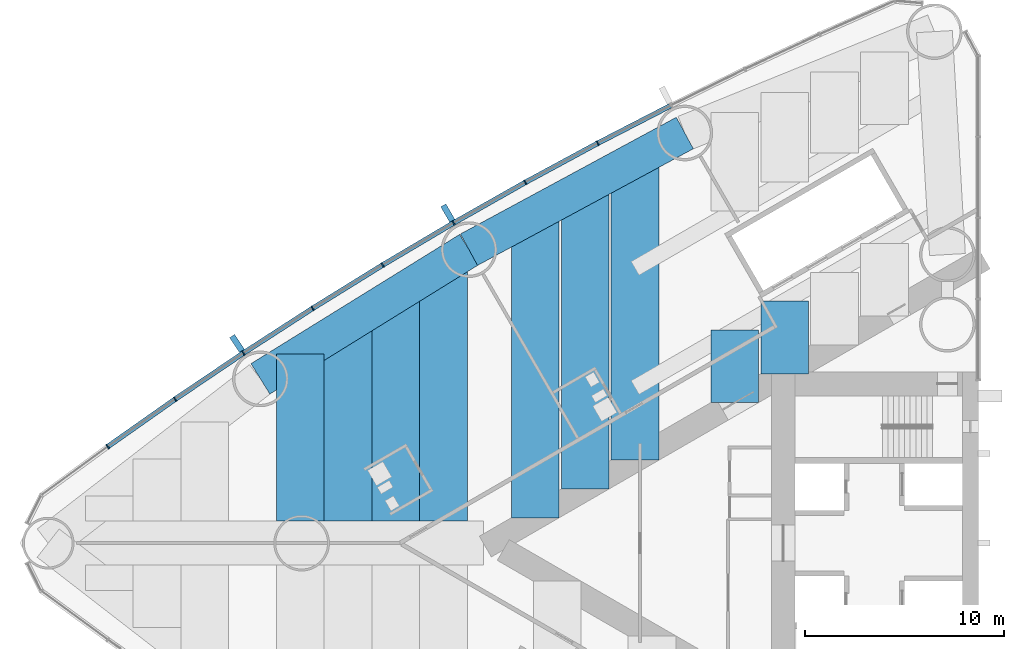
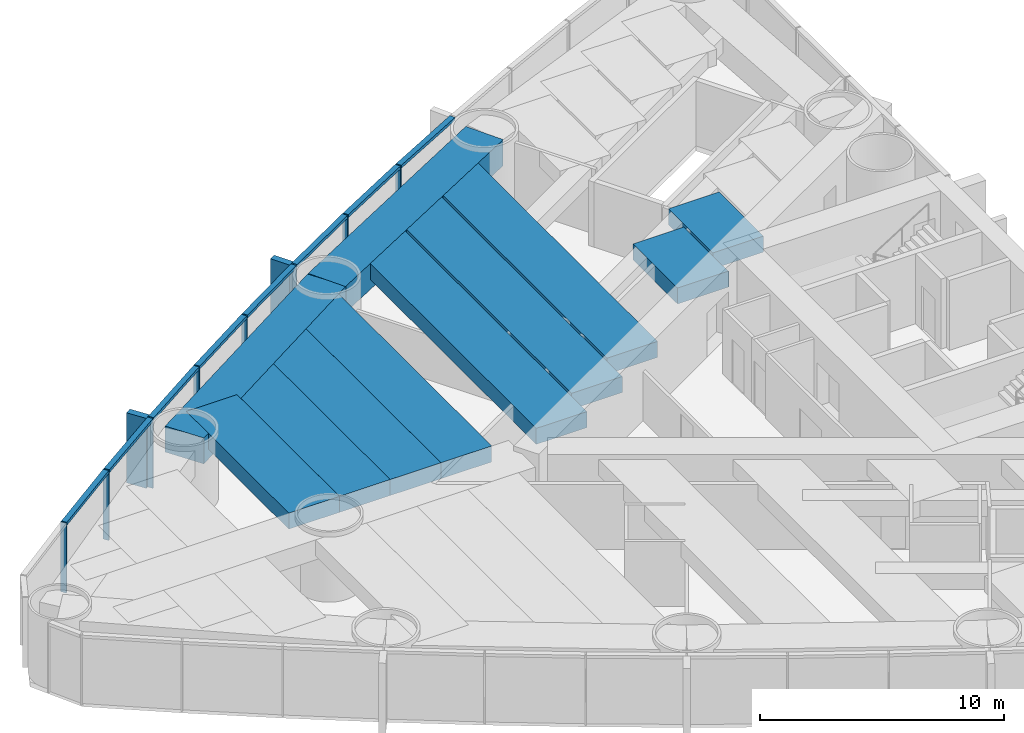
# One storey, part 4 of 19: 18 members, 11 beams, 1 element without a shape of its own.
"""IFC4 building model written with IfcOpenShell, lengths in metres."""

from ifc_helpers import new_model, si_unit, direction, frame, origin, origin_2d, place, context, subcontext, project, spatial, rectangle, extrude, material, material_profile, profile_set, type_object, element, aggregate, save


model = new_model("IFC4")

# Units and contexts
model_context = context("Model", 3, precision=1e-05, world=origin(), true_north=direction((0.0, 1.0)))
body_context = subcontext(model_context, "Body", "Model", "MODEL_VIEW")
ifc_project = project(units=[si_unit("LENGTHUNIT", "METRE"), si_unit("AREAUNIT", "SQUARE_METRE"), si_unit("VOLUMEUNIT", "CUBIC_METRE"), si_unit("PLANEANGLEUNIT", "RADIAN"), si_unit("MASSUNIT", "GRAM", prefix="KILO")], contexts=[model_context])

# Site, building, storey
site_placement = place(None, origin())
site = spatial("IfcSite", under=ifc_project, at=site_placement, CompositionType="ELEMENT")
building_placement = place(site_placement, origin())
building = spatial("IfcBuilding", under=site, at=building_placement, Name="Lancet Gate Hotel", CompositionType="ELEMENT")
storey_placement = place(building_placement, frame((0.0, 0.0, 60.0)))
storey = spatial("IfcBuildingStorey", under=building, at=storey_placement, Name="L15", CompositionType="ELEMENT", Elevation=60.0)

# Curtain wall, members
ifc_material_1 = material(Name="Aluminium curtain wall", Category="aluminium")
curtain_wall_type = type_object("IfcCurtainWallType", Name="Tower unitised curtain wall", PredefinedType="USERDEFINED", material=ifc_material_1)
curtain_wall_placement = place(storey_placement, origin())
curtain_wall = element("IfcCurtainWall", 1, at=curtain_wall_placement, inside=storey, type_object=curtain_wall_type, Name="T1 L15 curtain wall 2", ObjectType="UNITISED CURTAIN WALL", PredefinedType="USERDEFINED")
ifc_material_2 = material(Name="Aluminium mullion", Category="aluminium")
ifc_material_profile_1 = material_profile(ifc_material_2, rectangle(XDim=0.06494140625, YDim=0.25, at=origin_2d()), Name="MULLION 65x250")
ifc_profile_set_1 = profile_set([ifc_material_profile_1], Name="Aluminium mullion")
member_type_1 = type_object("IfcMemberType", Name="Aluminium mullion 65x250", PredefinedType="MULLION", material=ifc_profile_set_1)
member_1_placement = place(storey_placement, frame((-46.6220703125, 20.094970703125, 0.0), z_axis=(0.0, 0.0, 1.0), x_axis=(-0.884311132302, -0.466898084475, 0.0)))
member_1 = element("IfcMember", 2, at=member_1_placement, type_object=member_type_1, Name="T1 L15 curtain wall 2 mullion 6", PredefinedType="MULLION", context=body_context, shape_type="SweptSolid", body=[
    extrude(rectangle(XDim=0.06494140625, YDim=0.25, at=origin_2d()), origin(), (0.0, 0.0, 1.0), 3.5),
])
member_2_placement = place(storey_placement, frame((-50.26416015625, 18.1259765625, 0.0), z_axis=(0.0, 0.0, 1.0), x_axis=(-0.874991035403, -0.484139120464, 0.0)))
member_2 = element("IfcMember", 3, at=member_2_placement, type_object=member_type_1, Name="T1 L15 curtain wall 2 mullion 7", PredefinedType="MULLION", context=body_context, shape_type="SweptSolid", body=[
    extrude(rectangle(XDim=0.06494140625, YDim=0.25, at=origin_2d()), origin(), (0.0, 0.0, 1.0), 3.5),
])
member_3_placement = place(storey_placement, frame((-53.866943359375, 16.086181640625, 0.0), z_axis=(0.0, 0.0, 1.0), x_axis=(-0.86533483912, -0.501194190115, 0.0)))
member_3 = element("IfcMember", 4, at=member_3_placement, type_object=member_type_1, Name="T1 L15 curtain wall 2 mullion 8", PredefinedType="MULLION", context=body_context, shape_type="SweptSolid", body=[
    extrude(rectangle(XDim=0.06494140625, YDim=0.25, at=origin_2d()), origin(), (0.0, 0.0, 1.0), 3.5),
])
member_4_placement = place(storey_placement, frame((-57.42919921875, 13.97607421875, 0.0), z_axis=(0.0, 0.0, 1.0), x_axis=(-0.855346252548, -0.518056742309, 0.0)))
member_4 = element("IfcMember", 5, at=member_4_placement, type_object=member_type_1, Name="T1 L15 curtain wall 2 mullion 9", PredefinedType="MULLION", context=body_context, shape_type="SweptSolid", body=[
    extrude(rectangle(XDim=0.06494140625, YDim=0.25, at=origin_2d()), origin(), (0.0, 0.0, 1.0), 3.5),
])
member_5_placement = place(storey_placement, frame((-60.949462890625, 11.796630859375, 0.0), z_axis=(0.0, 0.0, 1.0), x_axis=(-0.845029112489, -0.534720299827, 0.0)))
member_5 = element("IfcMember", 6, at=member_5_placement, type_object=member_type_1, Name="T1 L15 curtain wall 2 mullion 10", PredefinedType="MULLION", context=body_context, shape_type="SweptSolid", body=[
    extrude(rectangle(XDim=0.06494140625, YDim=0.25, at=origin_2d()), origin(), (0.0, 0.0, 1.0), 3.5),
])
member_6_placement = place(storey_placement, frame((-64.42626953125, 9.548583984375, 0.0), z_axis=(0.0, 0.0, 1.0), x_axis=(-0.834387381945, -0.55117846189, 0.0)))
member_6 = element("IfcMember", 7, at=member_6_placement, type_object=member_type_1, Name="T1 L15 curtain wall 2 mullion 11", PredefinedType="MULLION", context=body_context, shape_type="SweptSolid", body=[
    extrude(rectangle(XDim=0.06494140625, YDim=0.25, at=origin_2d()), origin(), (0.0, 0.0, 1.0), 3.5),
])
member_7_placement = place(storey_placement, frame((-67.858154296875, 7.232666015625, 0.0), z_axis=(0.0, 0.0, 1.0), x_axis=(-0.823425148573, -0.56742490666, 0.0)))
member_7 = element("IfcMember", 8, at=member_7_placement, type_object=member_type_1, Name="T1 L15 curtain wall 2 mullion 12", PredefinedType="MULLION", context=body_context, shape_type="SweptSolid", body=[
    extrude(rectangle(XDim=0.06494140625, YDim=0.25, at=origin_2d()), origin(), (0.0, 0.0, 1.0), 3.5),
])
member_8_placement = place(storey_placement, frame((-71.244384765625, 4.85009765625, 0.0), z_axis=(0.0, 0.0, 1.0), x_axis=(-0.812146623168, -0.583453393578, 0.0)))
member_8 = element("IfcMember", 9, at=member_8_placement, type_object=member_type_1, Name="T1 L15 curtain wall 2 mullion 13", PredefinedType="MULLION", context=body_context, shape_type="SweptSolid", body=[
    extrude(rectangle(XDim=0.06494140625, YDim=0.25, at=origin_2d()), origin(), (0.0, 0.0, 1.0), 3.5),
])
ifc_material_3 = material(Name="Aluminium transom", Category="aluminium")
ifc_material_profile_2 = material_profile(ifc_material_3, rectangle(XDim=0.25, YDim=0.14990234375, at=origin_2d()), Name="TRANSOM 250x150")
ifc_profile_set_2 = profile_set([ifc_material_profile_2], Name="Aluminium transom")
member_type_2 = type_object("IfcMemberType", Name="Aluminium transom 250x150", PredefinedType="USERDEFINED", material=ifc_profile_set_2)
member_9_placement = place(storey_placement, frame((-42.970703125, 21.97705078125, 3.425048828125), z_axis=(-0.888859972399, -0.458178949175, 0.0), x_axis=(0.458178949175, -0.888859972399, 0.0)))
member_9 = element("IfcMember", 10, at=member_9_placement, type_object=member_type_2, Name="T1 L15 curtain wall 2 transom 5", ObjectType="TRANSOM", PredefinedType="USERDEFINED", context=body_context, shape_type="SweptSolid", body=[
    extrude(rectangle(XDim=0.25, YDim=0.14990234375, at=origin_2d()), origin(), (0.0, 0.0, 1.0), 4.0751953125),
])
member_10_placement = place(storey_placement, frame((-46.650634765625, 20.079345703125, 3.425048828125), z_axis=(-0.87971396408, -0.475503250675, 0.0), x_axis=(0.475503250675, -0.87971396408, 0.0)))
member_10 = element("IfcMember", 11, at=member_10_placement, type_object=member_type_2, Name="T1 L15 curtain wall 2 transom 6", ObjectType="TRANSOM", PredefinedType="USERDEFINED", context=body_context, shape_type="SweptSolid", body=[
    extrude(rectangle(XDim=0.25, YDim=0.14990234375, at=origin_2d()), origin(), (0.0, 0.0, 1.0), 4.0751953125),
])
member_11_placement = place(storey_placement, frame((-50.29248046875, 18.110107421875, 3.425048828125), z_axis=(-0.870197729943, -0.492702659625, 0.0), x_axis=(0.492702659625, -0.870197729943, 0.0)))
member_11 = element("IfcMember", 12, at=member_11_placement, type_object=member_type_2, Name="T1 L15 curtain wall 2 transom 7", ObjectType="TRANSOM", PredefinedType="USERDEFINED", context=body_context, shape_type="SweptSolid", body=[
    extrude(rectangle(XDim=0.25, YDim=0.14990234375, at=origin_2d()), origin(), (0.0, 0.0, 1.0), 4.0751953125),
])
member_12_placement = place(storey_placement, frame((-53.89501953125, 16.069580078125, 3.425048828125), z_axis=(-0.86039174806, -0.509633240547, 0.0), x_axis=(0.509633240547, -0.86039174806, 0.0)))
member_12 = element("IfcMember", 13, at=member_12_placement, type_object=member_type_2, Name="T1 L15 curtain wall 2 transom 8", ObjectType="TRANSOM", PredefinedType="USERDEFINED", context=body_context, shape_type="SweptSolid", body=[
    extrude(rectangle(XDim=0.25, YDim=0.14990234375, at=origin_2d()), origin(), (0.0, 0.0, 1.0), 4.0751953125),
])
member_13_placement = place(storey_placement, frame((-57.456787109375, 13.958984375, 3.425048828125), z_axis=(-0.850242165643, -0.526391736032, 0.0), x_axis=(0.526391736032, -0.850242165643, 0.0)))
member_13 = element("IfcMember", 14, at=member_13_placement, type_object=member_type_2, Name="T1 L15 curtain wall 2 transom 9", ObjectType="TRANSOM", PredefinedType="USERDEFINED", context=body_context, shape_type="SweptSolid", body=[
    extrude(rectangle(XDim=0.25, YDim=0.14990234375, at=origin_2d()), origin(), (0.0, 0.0, 1.0), 4.075439453125),
])
member_14_placement = place(storey_placement, frame((-60.976806640625, 11.779052734375, 3.425048828125), z_axis=(-0.839729242404, -0.543005340169, 0.0), x_axis=(0.543005340169, -0.839729242404, 0.0)))
member_14 = element("IfcMember", 15, at=member_14_placement, type_object=member_type_2, Name="T1 L15 curtain wall 2 transom 10", ObjectType="TRANSOM", PredefinedType="USERDEFINED", context=body_context, shape_type="SweptSolid", body=[
    extrude(rectangle(XDim=0.25, YDim=0.14990234375, at=origin_2d()), origin(), (0.0, 0.0, 1.0), 4.0751953125),
])
member_15_placement = place(storey_placement, frame((-64.453125, 9.5302734375, 3.425048828125), z_axis=(-0.828959086782, -0.559309245804, 0.0), x_axis=(0.559309245804, -0.828959086782, 0.0)))
member_15 = element("IfcMember", 16, at=member_15_placement, type_object=member_type_2, Name="T1 L15 curtain wall 2 transom 11", ObjectType="TRANSOM", PredefinedType="USERDEFINED", context=body_context, shape_type="SweptSolid", body=[
    extrude(rectangle(XDim=0.25, YDim=0.14990234375, at=origin_2d()), origin(), (0.0, 0.0, 1.0), 4.0751953125),
])
member_16_placement = place(storey_placement, frame((-67.884765625, 7.214111328125, 3.425048828125), z_axis=(-0.817833568345, -0.57545482402, 0.0), x_axis=(0.57545482402, -0.817833568345, 0.0)))
member_16 = element("IfcMember", 17, at=member_16_placement, type_object=member_type_2, Name="T1 L15 curtain wall 2 transom 12", ObjectType="TRANSOM", PredefinedType="USERDEFINED", context=body_context, shape_type="SweptSolid", body=[
    extrude(rectangle(XDim=0.25, YDim=0.14990234375, at=origin_2d()), origin(), (0.0, 0.0, 1.0), 4.075439453125),
])

# Beams
ifc_material_4 = material(Name="Concrete C50/60", Category="concrete")
ifc_material_profile_3 = material_profile(ifc_material_4, rectangle(XDim=1.800048828125, YDim=1.300048828125, at=origin_2d()), Name="RC 1800x1300")
ifc_profile_set_3 = profile_set([ifc_material_profile_3], Name="Concrete C50/60")
beam_type_1 = type_object("IfcBeamType", Name="Edge beam RC 1800x1300", PredefinedType="SPANDREL", material=ifc_profile_set_3)
for number, where, z_axis, x_axis, name in (
    (18, (-42.2451171875, 20.607421875, 2.60009765625), (-0.879692855603, -0.475542300749, 0.0), (0.475542300749, -0.879692855603, 0.0), "T1 edge beam EB1 L15"),
    (19, (-53.090087890625, 14.744873046875, 2.60009765625), (-0.850225894333, -0.526418016984, 0.0), (0.526418016984, -0.850225894333, 0.0), "T1 edge beam EB1 L15"),
):
    element("IfcBeam", number, at=place(storey_placement, frame(where, z_axis=z_axis, x_axis=x_axis)), inside=storey, type_object=beam_type_1, Name=name, PredefinedType="SPANDREL", context=body_context, shape_type="SweptSolid", body=[
        extrude(rectangle(XDim=1.800048828125, YDim=1.300048828125, at=origin_2d()), origin(), (0.0, 0.0, 1.0), 12.328125),
    ])

# Member
ifc_material_5 = material(Name="Precast concrete C50/60", Category="concrete")
ifc_material_profile_4 = material_profile(ifc_material_5, rectangle(XDim=0.300048828125, YDim=0.89990234375, at=origin_2d()), Name="FIN 300x900")
ifc_profile_set_4 = profile_set([ifc_material_profile_4], Name="Precast concrete C50/60")
member_type_3 = type_object("IfcMemberType", Name="Exposed concrete fin 300x900", PredefinedType="USERDEFINED", material=ifc_profile_set_4)
member_17_placement = place(storey_placement, frame((-54.1552734375, 16.583740234375, 0.0), z_axis=(0.0, 0.0, 1.0), x_axis=(-0.86533483912, -0.501194190115, 0.0)))
member_17 = element("IfcMember", 20, at=member_17_placement, type_object=member_type_3, Name="T1 L15 curtain wall 2 fin 8", ObjectType="FIN", PredefinedType="USERDEFINED", context=body_context, shape_type="SweptSolid", body=[
    extrude(rectangle(XDim=0.300048828125, YDim=0.89990234375, at=origin_2d()), origin(), (0.0, 0.0, 1.0), 3.5),
])

member_18_placement = place(storey_placement, frame((-64.7431640625, 10.0283203125, 0.0), z_axis=(0.0, 0.0, 1.0), x_axis=(-0.834387381945, -0.55117846189, 0.0)))
member_18 = element("IfcMember", 21, at=member_18_placement, type_object=member_type_3, Name="T1 L15 curtain wall 2 fin 11", ObjectType="FIN", PredefinedType="USERDEFINED", context=body_context, shape_type="SweptSolid", body=[
    extrude(rectangle(XDim=0.300048828125, YDim=0.89990234375, at=origin_2d()), origin(), (0.0, 0.0, 1.0), 3.5),
])

aggregate(curtain_wall, [member_1, member_2, member_3, member_17, member_4, member_5, member_6, member_18, member_7, member_8, member_9, member_10, member_11, member_12, member_13, member_14, member_15, member_16])

# Beams
ifc_material_6 = material(Name="Concrete C50/60", Category="concrete")
ifc_material_profile_5 = material_profile(ifc_material_6, rectangle(XDim=2.39990234375, YDim=0.800048828125, at=origin_2d()), Name="RC 2400x800")
ifc_profile_set_5 = profile_set([ifc_material_profile_5], Name="Concrete C50/60")
beam_type_2 = type_object("IfcBeamType", Name="Floor beam RC 2400x800", PredefinedType="BEAM", material=ifc_profile_set_5)
beam_1_placement = place(storey_placement, frame((-44.747802734375, 19.254638671875, 2.85009765625), z_axis=(0.0, -1.0, 0.0), x_axis=(1.0, 0.0, 0.0)))
element("IfcBeam", 22, at=beam_1_placement, inside=storey, type_object=beam_type_2, Name="T1 floor beam F09S L15", PredefinedType="BEAM", context=body_context, shape_type="SweptSolid", body=[
    extrude(rectangle(XDim=2.39990234375, YDim=0.800048828125, at=origin_2d()), origin(), (0.0, 0.0, 1.0), 15.0859375),
])
beam_2_placement = place(storey_placement, frame((-47.254638671875, 17.8994140625, 2.85009765625), z_axis=(0.0, -1.0, 0.0), x_axis=(1.0, 0.0, 0.0)))
element("IfcBeam", 23, at=beam_2_placement, inside=storey, type_object=beam_type_2, Name="T1 floor beam F10S L15", PredefinedType="BEAM", context=body_context, shape_type="SweptSolid", body=[
    extrude(rectangle(XDim=2.39990234375, YDim=0.800048828125, at=origin_2d()), origin(), (0.0, 0.0, 1.0), 15.177978515625),
])
beam_3_placement = place(storey_placement, frame((-49.761474609375, 16.54443359375, 2.85009765625), z_axis=(0.0, -1.0, 0.0), x_axis=(1.0, 0.0, 0.0)))
element("IfcBeam", 24, at=beam_3_placement, inside=storey, type_object=beam_type_2, Name="T1 floor beam F12S L15", PredefinedType="BEAM", context=body_context, shape_type="SweptSolid", body=[
    extrude(rectangle(XDim=2.39990234375, YDim=0.800048828125, at=origin_2d()), origin(), (0.0, 0.0, 1.0), 15.270263671875),
])
beam_4_placement = place(storey_placement, frame((-54.3681640625, 13.95361328125, 2.85009765625), z_axis=(0.0, -1.0, 0.0), x_axis=(1.0, 0.0, 0.0)))
element("IfcBeam", 25, at=beam_4_placement, inside=storey, type_object=beam_type_2, Name="T1 floor beam F13S L15", PredefinedType="BEAM", context=body_context, shape_type="SweptSolid", body=[
    extrude(rectangle(XDim=2.39990234375, YDim=0.800048828125, at=origin_2d()), origin(), (0.0, 0.0, 1.0), 12.853515625),
])
beam_5_placement = place(storey_placement, frame((-56.768310546875, 12.467529296875, 2.85009765625), z_axis=(0.0, -1.0, 0.0), x_axis=(1.0, 0.0, 0.0)))
element("IfcBeam", 26, at=beam_5_placement, inside=storey, type_object=beam_type_2, Name="T1 floor beam F15S L15", PredefinedType="BEAM", context=body_context, shape_type="SweptSolid", body=[
    extrude(rectangle(XDim=2.39990234375, YDim=0.800048828125, at=origin_2d()), origin(), (0.0, 0.0, 1.0), 11.367431640625),
])
beam_6_placement = place(storey_placement, frame((-59.168212890625, 10.981689453125, 2.85009765625), z_axis=(0.0, -1.0, 0.0), x_axis=(1.0, 0.0, 0.0)))
element("IfcBeam", 27, at=beam_6_placement, inside=storey, type_object=beam_type_2, Name="T1 floor beam F17S L15", PredefinedType="BEAM", context=body_context, shape_type="SweptSolid", body=[
    extrude(rectangle(XDim=2.39990234375, YDim=0.800048828125, at=origin_2d()), origin(), (0.0, 0.0, 1.0), 9.881591796875),
])
beam_7_placement = place(storey_placement, frame((-61.568359375, 9.495849609375, 2.85009765625), z_axis=(0.0, -1.0, 0.0), x_axis=(1.0, 0.0, 0.0)))
element("IfcBeam", 28, at=beam_7_placement, inside=storey, type_object=beam_type_2, Name="T1 floor beam F19S L15", PredefinedType="BEAM", context=body_context, shape_type="SweptSolid", body=[
    extrude(rectangle(XDim=2.39990234375, YDim=0.800048828125, at=origin_2d()), origin(), (0.0, 0.0, 1.0), 8.395751953125),
])
beam_8_placement = place(storey_placement, frame((-37.227294921875, 12.15625, 2.85009765625), z_axis=(0.0, -1.0, 0.0), x_axis=(1.0, 0.0, 0.0)))
element("IfcBeam", 29, at=beam_8_placement, inside=storey, type_object=beam_type_2, Name="T1 floor beam F05SB L15", PredefinedType="BEAM", context=body_context, shape_type="SweptSolid", body=[
    extrude(rectangle(XDim=2.39990234375, YDim=0.800048828125, at=origin_2d()), origin(), (0.0, 0.0, 1.0), 3.6455078125),
])
beam_9_placement = place(storey_placement, frame((-39.734130859375, 10.708740234375, 2.85009765625), z_axis=(0.0, -1.0, 0.0), x_axis=(1.0, 0.0, 0.0)))
element("IfcBeam", 30, at=beam_9_placement, inside=storey, type_object=beam_type_2, Name="T1 floor beam F07SB L15", PredefinedType="BEAM", context=body_context, shape_type="SweptSolid", body=[
    extrude(rectangle(XDim=2.39990234375, YDim=0.800048828125, at=origin_2d()), origin(), (0.0, 0.0, 1.0), 3.645263671875),
])

save(model, "model.ifc")
